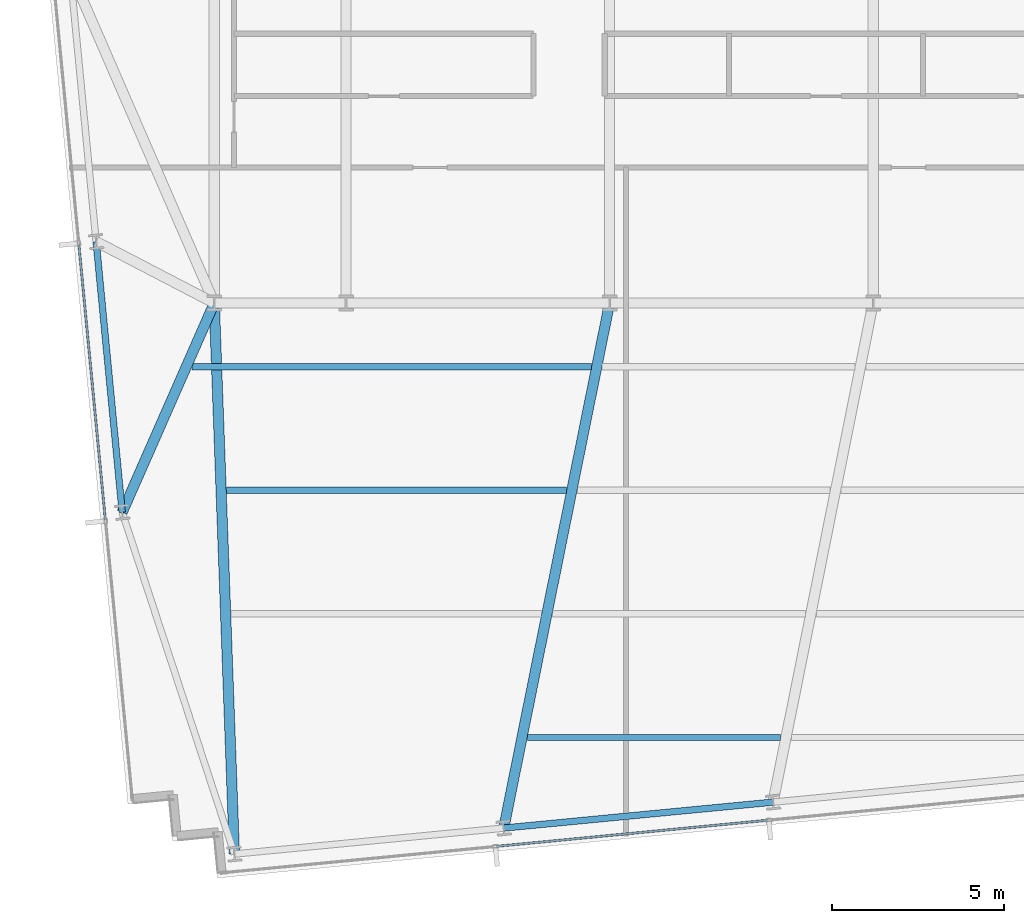
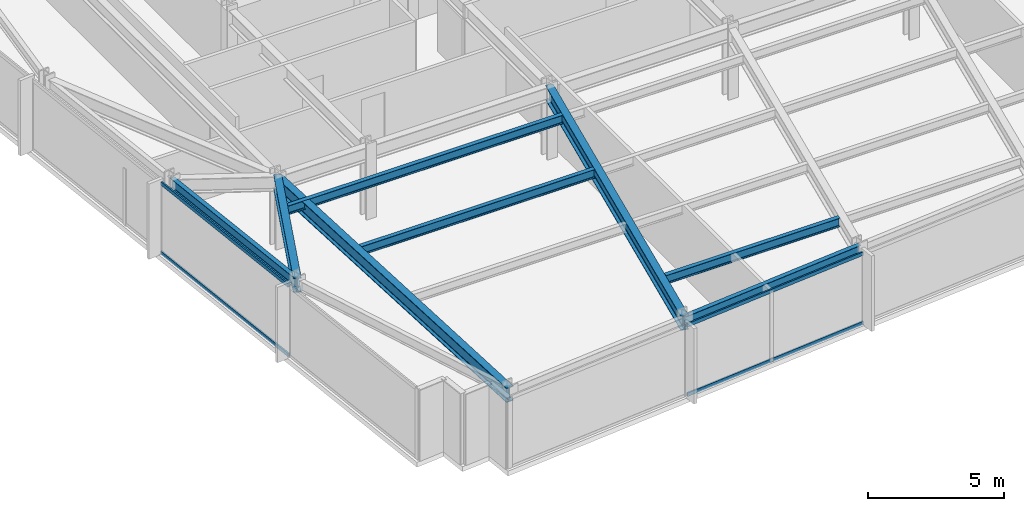
# One storey, part 3 of 32: 8 beams, 4 members, 2 elements without a shape of their own.
"""IFC4 building model written with IfcOpenShell, lengths in metres."""

from ifc_helpers import new_model, si_unit, direction, frame, origin, origin_2d, place, context, subcontext, project, spatial, hollow_rectangle, i_section, extrude, material, material_profile, profile_set, type_object, element, aggregate, save


model = new_model("IFC4")

# Units and contexts
model_context = context("Model", 3, precision=1e-05, world=origin(), true_north=direction((0.0, 1.0)))
body_context = subcontext(model_context, "Body", "Model", "MODEL_VIEW")
ifc_project = project(units=[si_unit("LENGTHUNIT", "METRE"), si_unit("AREAUNIT", "SQUARE_METRE"), si_unit("VOLUMEUNIT", "CUBIC_METRE"), si_unit("PLANEANGLEUNIT", "RADIAN"), si_unit("MASSUNIT", "GRAM", prefix="KILO")], contexts=[model_context])

# Site, building, storey
site_placement = place(None, origin())
site = spatial("IfcSite", under=ifc_project, at=site_placement, CompositionType="ELEMENT")
building_placement = place(site_placement, origin())
building = spatial("IfcBuilding", under=site, at=building_placement, Name="Yelkora Congress Tower", CompositionType="ELEMENT")
storey_placement = place(building_placement, frame((0.0, 0.0, 120.300048828125)))
storey = spatial("IfcBuildingStorey", under=building, at=storey_placement, Name="L32", CompositionType="ELEMENT", Elevation=120.300048828125)

# Beams
ifc_material_1 = material(Name="Steel S355J2", Category="steel")
ifc_material_profile_1 = material_profile(ifc_material_1, i_section(OverallWidth=0.300048828125, OverallDepth=0.64990234375, WebThickness=0.01611328125, FlangeThickness=0.031005859375, FilletRadius=0.027099609375, at=origin_2d()), Name="HEB 650")
ifc_profile_set_1 = profile_set([ifc_material_profile_1], Name="Steel S355J2")
beam_type_1 = type_object("IfcBeamType", Name="BM-GIRD-HEB650", PredefinedType="BEAM", material=ifc_profile_set_1)
beam_1_placement = place(storey_placement, frame((19.785888671875, 9.144287109375, 2.85498046875), z_axis=(-0.03646985294, 0.999334753637, 0.0), x_axis=(-0.999334753637, -0.03646985294, 0.0)))
element("IfcBeam", 1, at=beam_1_placement, inside=storey, type_object=beam_type_1, Name="L32 Primary Frame Girder S01", PredefinedType="BEAM", context=body_context, shape_type="SweptSolid", body=[
    extrude(i_section(OverallWidth=0.300048828125, OverallDepth=0.64990234375, WebThickness=0.01611328125, FlangeThickness=0.031005859375, FilletRadius=0.027099609375, at=origin_2d()), origin(), (0.0, 0.0, 1.0), 16.06640625),
])
beam_2_placement = place(storey_placement, frame((27.635498046875, 9.900146484375, 2.85498046875), z_axis=(0.197625995154, 0.980277494406, 0.0), x_axis=(-0.980277494406, 0.197625995154, 0.0)))
element("IfcBeam", 2, at=beam_2_placement, inside=storey, type_object=beam_type_1, Name="L32 Primary Frame Girder S02", PredefinedType="BEAM", context=body_context, shape_type="SweptSolid", body=[
    extrude(i_section(OverallWidth=0.300048828125, OverallDepth=0.64990234375, WebThickness=0.01611328125, FlangeThickness=0.031005859375, FilletRadius=0.027099609375, at=origin_2d()), origin(), (0.0, 0.0, 1.0), 15.607666015625),
])
beam_3_placement = place(storey_placement, frame((16.5166015625, 19.101806640625, 2.85498046875), z_axis=(0.402759490709, 0.915305846504, 0.0), x_axis=(-0.915305846504, 0.402759490709, 0.0)))
element("IfcBeam", 3, at=beam_3_placement, inside=storey, type_object=beam_type_1, Name="L32 Primary Frame Girder W01", PredefinedType="BEAM", context=body_context, shape_type="SweptSolid", body=[
    extrude(i_section(OverallWidth=0.300048828125, OverallDepth=0.64990234375, WebThickness=0.01611328125, FlangeThickness=0.031005859375, FilletRadius=0.027099609375, at=origin_2d()), origin(), (0.0, 0.0, 1.0), 6.662353515625),
])
ifc_material_profile_2 = material_profile(ifc_material_1, i_section(OverallWidth=0.179931640625, OverallDepth=0.39990234375, WebThickness=0.008544921875, FlangeThickness=0.013427734375, FilletRadius=0.02099609375, at=origin_2d()), Name="IPE 400")
ifc_profile_set_2 = profile_set([ifc_material_profile_2], Name="Steel S355J2")
beam_type_2 = type_object("IfcBeamType", Name="BM-JOIST-IPE400", PredefinedType="JOIST", material=ifc_profile_set_2)
beam_4_placement = place(storey_placement, frame((28.32861328125, 12.54443359375, 2.97998046875), z_axis=(1.0, 0.0, 0.0), x_axis=(0.0, 1.0, 0.0)))
element("IfcBeam", 4, at=beam_4_placement, inside=storey, type_object=beam_type_2, Name="L32 Composite Floor Joist 1", PredefinedType="JOIST", context=body_context, shape_type="SweptSolid", body=[
    extrude(i_section(OverallWidth=0.179931640625, OverallDepth=0.39990234375, WebThickness=0.008544921875, FlangeThickness=0.013427734375, FilletRadius=0.02099609375, at=origin_2d()), origin(), (0.0, 0.0, 1.0), 7.374755859375),
])
beam_5_placement = place(storey_placement, frame((19.55908203125, 19.744384765625, 2.97998046875), z_axis=(1.0, 0.0, 0.0), x_axis=(0.0, 1.0, 0.0)))
element("IfcBeam", 5, at=beam_5_placement, inside=storey, type_object=beam_type_2, Name="L32 Composite Floor Joist 11", PredefinedType="JOIST", context=body_context, shape_type="SweptSolid", body=[
    extrude(i_section(OverallWidth=0.179931640625, OverallDepth=0.39990234375, WebThickness=0.008544921875, FlangeThickness=0.013427734375, FilletRadius=0.02099609375, at=origin_2d()), origin(), (0.0, 0.0, 1.0), 9.901123046875),
])
beam_6_placement = place(storey_placement, frame((18.54345703125, 23.344482421875, 2.97998046875), z_axis=(1.0, 0.0, 0.0), x_axis=(0.0, 1.0, 0.0)))
element("IfcBeam", 6, at=beam_6_placement, inside=storey, type_object=beam_type_2, Name="L32 Composite Floor Joist 18", PredefinedType="JOIST", context=body_context, shape_type="SweptSolid", body=[
    extrude(i_section(OverallWidth=0.179931640625, OverallDepth=0.39990234375, WebThickness=0.008544921875, FlangeThickness=0.013427734375, FilletRadius=0.02099609375, at=origin_2d()), origin(), (0.0, 0.0, 1.0), 11.642333984375),
])
ifc_material_profile_3 = material_profile(ifc_material_1, i_section(OverallWidth=0.18994140625, OverallDepth=0.449951171875, WebThickness=0.009521484375, FlangeThickness=0.0146484375, FilletRadius=0.02099609375, at=origin_2d()), Name="IPE 450")
ifc_profile_set_3 = profile_set([ifc_material_profile_3], Name="Steel S355J2")
beam_type_3 = type_object("IfcBeamType", Name="BM-SPAN-IPE450", PredefinedType="SPANDREL", material=ifc_profile_set_3)
beam_7_placement = place(storey_placement, frame((15.757080078125, 26.990478515625, 2.954833984375), z_axis=(0.09583684824, -0.995397055712, 0.0), x_axis=(0.995397055712, 0.09583684824, 0.0)))
element("IfcBeam", 7, at=beam_7_placement, inside=storey, type_object=beam_type_3, Name="L32 Perimeter Beam 1", PredefinedType="SPANDREL", context=body_context, shape_type="SweptSolid", body=[
    extrude(i_section(OverallWidth=0.18994140625, OverallDepth=0.449951171875, WebThickness=0.009521484375, FlangeThickness=0.0146484375, FilletRadius=0.02099609375, at=origin_2d()), origin(), (0.0, 0.0, 1.0), 7.925048828125),
])
beam_8_placement = place(storey_placement, frame((27.635498046875, 9.900146484375, 2.954833984375), z_axis=(0.995395575667, 0.095852219286, 0.0), x_axis=(-0.095852219286, 0.995395575667, 0.0)))
element("IfcBeam", 8, at=beam_8_placement, inside=storey, type_object=beam_type_3, Name="L32 Perimeter Beam 4", PredefinedType="SPANDREL", context=body_context, shape_type="SweptSolid", body=[
    extrude(i_section(OverallWidth=0.18994140625, OverallDepth=0.449951171875, WebThickness=0.009521484375, FlangeThickness=0.0146484375, FilletRadius=0.02099609375, at=origin_2d()), origin(), (0.0, 0.0, 1.0), 7.8857421875),
])

# Curtain wall, members
ifc_material_2 = material(Name="Anodised aluminium and insulated glass", Category="aluminium")
curtain_wall_type = type_object("IfcCurtainWallType", Name="CW-SYS-B2", PredefinedType="NOTDEFINED", material=ifc_material_2)
curtain_wall_1_placement = place(storey_placement, origin())
curtain_wall_1 = element("IfcCurtainWall", 9, at=curtain_wall_1_placement, inside=storey, type_object=curtain_wall_type, Name="L32 Unitised Curtain Wall 5", PredefinedType="NOTDEFINED")
ifc_material_3 = material(Name="Anodised aluminium 6063-T6", Category="aluminium")
ifc_material_profile_4 = material_profile(ifc_material_3, hollow_rectangle(XDim=0.06494140625, YDim=0.159912109375, WallThickness=0.00390625, at=origin_2d()), Name="ALU 65x160x4")
ifc_profile_set_4 = profile_set([ifc_material_profile_4], Name="Anodised aluminium 6063-T6")
member_type = type_object("IfcMemberType", Name="MEM-TR-B2", PredefinedType="USERDEFINED", material=ifc_profile_set_4)
member_1_placement = place(storey_placement, frame((16.025146484375, 18.8837890625, 0.032470703125), z_axis=(-0.095838228465, 0.995396922823, 0.0), x_axis=(-0.995396922823, -0.095838228465, 0.0)))
member_1 = element("IfcMember", 10, at=member_1_placement, type_object=member_type, Name="CW-B2 transom 2.1", ObjectType="TRANSOM", PredefinedType="USERDEFINED", context=body_context, shape_type="SweptSolid", body=[
    extrude(hollow_rectangle(XDim=0.06494140625, YDim=0.159912109375, WallThickness=0.00390625, at=origin_2d()), origin(), (0.0, 0.0, 1.0), 8.06005859375),
])
member_2_placement = place(storey_placement, frame((16.025146484375, 18.8837890625, 3.1474609375), z_axis=(-0.095838228465, 0.995396922823, 0.0), x_axis=(-0.995396922823, -0.095838228465, 0.0)))
member_2 = element("IfcMember", 11, at=member_2_placement, type_object=member_type, Name="CW-B2 transom 2.2", ObjectType="TRANSOM", PredefinedType="USERDEFINED", context=body_context, shape_type="SweptSolid", body=[
    extrude(hollow_rectangle(XDim=0.06494140625, YDim=0.159912109375, WallThickness=0.00390625, at=origin_2d()), origin(), (0.0, 0.0, 1.0), 8.06005859375),
])
aggregate(curtain_wall_1, [member_1, member_2])

curtain_wall_2_placement = place(storey_placement, origin())
curtain_wall_2 = element("IfcCurtainWall", 12, at=curtain_wall_2_placement, inside=storey, type_object=curtain_wall_type, Name="L32 Unitised Curtain Wall 20", PredefinedType="NOTDEFINED")
member_3_placement = place(storey_placement, frame((35.323974609375, 10.128173828125, 0.032470703125), z_axis=(-0.995397293396, -0.095834379534, 0.0), x_axis=(0.095834379534, -0.995397293396, 0.0)))
member_3 = element("IfcMember", 13, at=member_3_placement, type_object=member_type, Name="CW-B2 transom 6.1", ObjectType="TRANSOM", PredefinedType="USERDEFINED", context=body_context, shape_type="SweptSolid", body=[
    extrude(hollow_rectangle(XDim=0.06494140625, YDim=0.159912109375, WallThickness=0.00390625, at=origin_2d()), origin(), (0.0, 0.0, 1.0), 7.93310546875),
])
member_4_placement = place(storey_placement, frame((35.323974609375, 10.128173828125, 3.1474609375), z_axis=(-0.995397293396, -0.095834379534, 0.0), x_axis=(0.095834379534, -0.995397293396, 0.0)))
member_4 = element("IfcMember", 14, at=member_4_placement, type_object=member_type, Name="CW-B2 transom 6.2", ObjectType="TRANSOM", PredefinedType="USERDEFINED", context=body_context, shape_type="SweptSolid", body=[
    extrude(hollow_rectangle(XDim=0.06494140625, YDim=0.159912109375, WallThickness=0.00390625, at=origin_2d()), origin(), (0.0, 0.0, 1.0), 7.93310546875),
])
aggregate(curtain_wall_2, [member_3, member_4])

save(model, "model.ifc")
